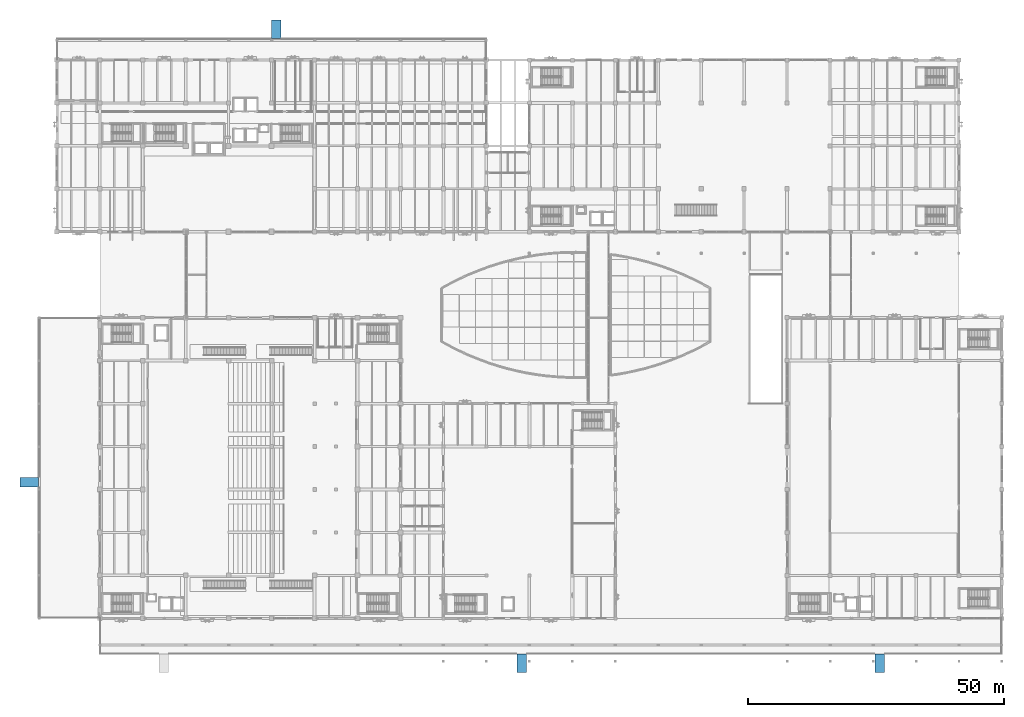
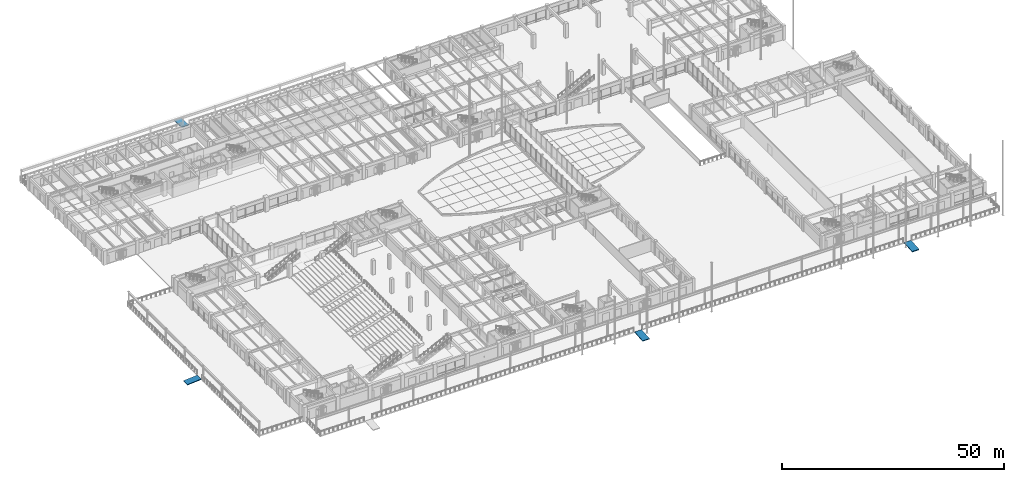
# One storey, part 102 of 135: 4 ramp flights, 4 elements without a shape of their own.
"""IFC4 building model written with IfcOpenShell, lengths in metres."""

from ifc_helpers import new_model, si_unit, direction, frame, origin, place, context, subcontext, project, spatial, polyline, outline, extrude, material, layer, layer_set, type_object, element, aggregate, save


model = new_model("IFC4")

# Units and contexts
model_context = context("Model", 3, precision=1e-05, world=origin(), true_north=direction((0.0, 1.0)))
body_context = subcontext(model_context, "Body", "Model", "MODEL_VIEW")
ifc_project = project(units=[si_unit("LENGTHUNIT", "METRE"), si_unit("AREAUNIT", "SQUARE_METRE"), si_unit("VOLUMEUNIT", "CUBIC_METRE"), si_unit("PLANEANGLEUNIT", "RADIAN"), si_unit("MASSUNIT", "GRAM", prefix="KILO")], contexts=[model_context])

# Site, building, storey
site_placement = place(None, origin())
site = spatial("IfcSite", under=ifc_project, at=site_placement, CompositionType="ELEMENT")
building_placement = place(site_placement, origin())
building = spatial("IfcBuilding", under=site, at=building_placement, Name="Cumbredor Promenade Congress Hotel", CompositionType="ELEMENT")
storey_placement = place(building_placement, origin())
storey = spatial("IfcBuildingStorey", under=building, at=storey_placement, Name="L00", CompositionType="ELEMENT", Elevation=0.0)

# Ramp, ramp flight
ifc_material = material(Name="Concrete C40/50", Category="concrete")
ramp_type = type_object("IfcRampType", Name="Accessible Courtyard Pedestrian Ramp 1800mm", PredefinedType="STRAIGHT_RUN_RAMP", material=ifc_material)
ramp_1_placement = place(storey_placement, origin())
ramp_1 = element("IfcRamp", 1, at=ramp_1_placement, inside=storey, type_object=ramp_type, Name="West Promenade Accessible Entrance Ramp 1", PredefinedType="STRAIGHT_RUN_RAMP")
ifc_layer = layer(ifc_material, 0.199951171875, Name="Concrete C40/50", Category="concrete")
ifc_layer_set = layer_set([ifc_layer], Name="Concrete C40/50")
ramp_flight_type = type_object("IfcRampFlightType", Name="Accessible Ramp Flight 200mm", PredefinedType="STRAIGHT", material=ifc_layer_set)
ramp_flight_1_placement = place(storey_placement, frame((-7.199951171875, 35.0, -0.300048828125), z_axis=(0.0, 0.0, 1.0), x_axis=(1.0, 0.0, 0.0)))
ramp_flight_1 = element("IfcRampFlight", 2, at=ramp_flight_1_placement, type_object=ramp_flight_type, Name="West Promenade Accessible Entrance Ramp 1 Flight", PredefinedType="STRAIGHT", context=body_context, shape_type="SweptSolid", body=[
    extrude(outline(polyline([(0.0, -0.199951171875), (3.60009765625, 0.10009765625), (3.60009765625, 0.300048828125), (0.0, 0.0), (0.0, -0.199951171875)])), frame((0.0, 0.89990234375, 0.0), z_axis=(0.0, -1.0, 0.0), x_axis=(1.0, 0.0, 0.0)), (0.0, 0.0, 1.0), 1.800048828125),
])
aggregate(ramp_1, [ramp_flight_1])

ramp_2_placement = place(storey_placement, origin())
ramp_2 = element("IfcRamp", 3, at=ramp_2_placement, inside=storey, type_object=ramp_type, Name="Spa Garden Accessible Ramp 3", PredefinedType="STRAIGHT_RUN_RAMP")
ramp_flight_2_placement = place(storey_placement, frame((90.89990234375, -2.199951171875, -0.300048828125), z_axis=(0.0, 0.0, 1.0), x_axis=(0.0, 1.0, 0.0)))
ramp_flight_2 = element("IfcRampFlight", 4, at=ramp_flight_2_placement, type_object=ramp_flight_type, Name="Spa Garden Accessible Ramp 3 Flight", PredefinedType="STRAIGHT", context=body_context, shape_type="SweptSolid", body=[
    extrude(outline(polyline([(0.0, -0.199951171875), (3.60009765625, 0.10009765625), (3.60009765625, 0.300048828125), (0.0, 0.0), (0.0, -0.199951171875)])), frame((0.0, 0.89990234375, 0.0), z_axis=(0.0, -1.0, 0.0), x_axis=(1.0, 0.0, 0.0)), (0.0, 0.0, 1.0), 1.800048828125),
])
aggregate(ramp_2, [ramp_flight_2])

ramp_3_placement = place(storey_placement, origin())
ramp_3 = element("IfcRamp", 5, at=ramp_3_placement, inside=storey, type_object=ramp_type, Name="Ballroom Promenade Accessible Ramp 4", PredefinedType="STRAIGHT_RUN_RAMP")
ramp_flight_3_placement = place(storey_placement, frame((160.89990234375, -2.199951171875, -0.300048828125), z_axis=(0.0, 0.0, 1.0), x_axis=(0.0, 1.0, 0.0)))
ramp_flight_3 = element("IfcRampFlight", 6, at=ramp_flight_3_placement, type_object=ramp_flight_type, Name="Ballroom Promenade Accessible Ramp 4 Flight", PredefinedType="STRAIGHT", context=body_context, shape_type="SweptSolid", body=[
    extrude(outline(polyline([(0.0, -0.199951171875), (3.60009765625, 0.10009765625), (3.60009765625, 0.300048828125), (0.0, 0.0), (0.0, -0.199951171875)])), frame((0.0, 0.89990234375, 0.0), z_axis=(0.0, -1.0, 0.0), x_axis=(1.0, 0.0, 0.0)), (0.0, 0.0, 1.0), 1.800048828125),
])
aggregate(ramp_3, [ramp_flight_3])

ramp_4_placement = place(storey_placement, origin())
ramp_4 = element("IfcRamp", 7, at=ramp_4_placement, inside=storey, type_object=ramp_type, Name="North Portico Accessible Drop-Off Ramp 5", PredefinedType="STRAIGHT_RUN_RAMP")
ramp_flight_4_placement = place(storey_placement, frame((42.89990234375, 125.39990234375, -0.300048828125), z_axis=(0.0, 0.0, 1.0), x_axis=(0.0, -1.0, 0.0)))
ramp_flight_4 = element("IfcRampFlight", 8, at=ramp_flight_4_placement, type_object=ramp_flight_type, Name="North Portico Accessible Drop-Off Ramp 5 Flight", PredefinedType="STRAIGHT", context=body_context, shape_type="SweptSolid", body=[
    extrude(outline(polyline([(0.0, -0.199951171875), (3.60009765625, 0.10009765625), (3.60009765625, 0.300048828125), (0.0, 0.0), (0.0, -0.199951171875)])), frame((0.0, 0.89990234375, 0.0), z_axis=(0.0, -1.0, 0.0), x_axis=(1.0, 0.0, 0.0)), (0.0, 0.0, 1.0), 1.800048828125),
])
aggregate(ramp_4, [ramp_flight_4])

save(model, "model.ifc")
